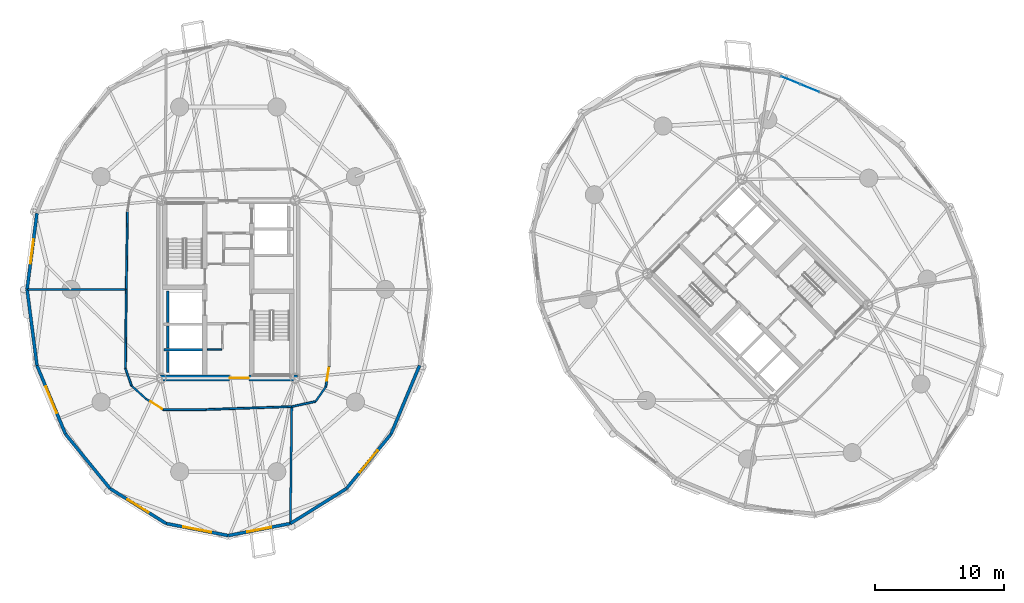
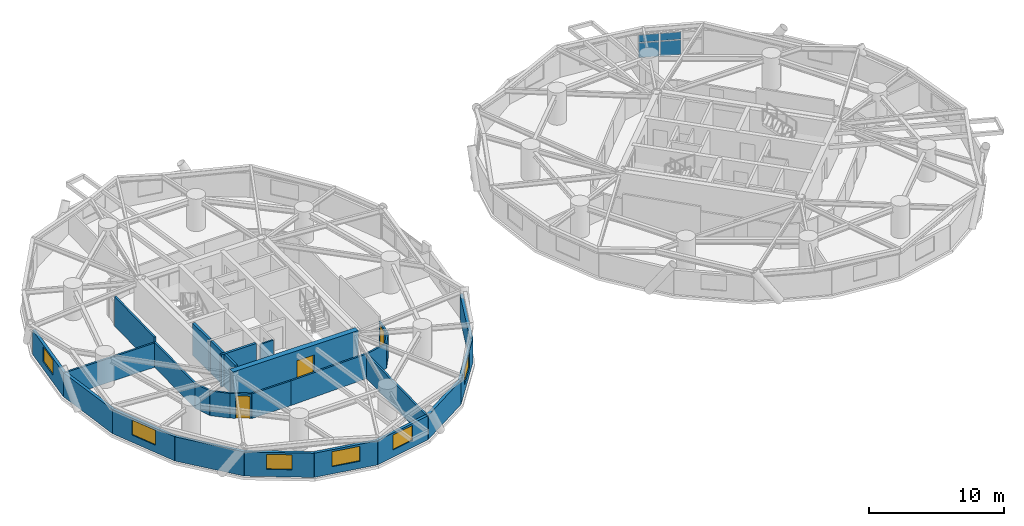
# One storey, part 9 of 16: 28 walls, 6 windows, 4 plates, 3 doors, 9 openings, 1 element without a shape of its own.
"""IFC4 building model written with IfcOpenShell, lengths in metres."""

from ifc_helpers import new_model, si_unit, direction, frame, frame_2d, origin, origin_2d, place, context, subcontext, project, spatial, rectangle, extrude, source, transform, mapped, material, layer, layer_set, type_object, element, fill, aggregate, save


model = new_model("IFC4")

# Units and contexts
model_context = context("Model", 3, precision=1e-05, world=origin(), true_north=direction((0.0, 1.0)))
body_context = subcontext(model_context, "Body", "Model", "MODEL_VIEW")
ifc_project = project(units=[si_unit("LENGTHUNIT", "METRE"), si_unit("AREAUNIT", "SQUARE_METRE"), si_unit("VOLUMEUNIT", "CUBIC_METRE"), si_unit("PLANEANGLEUNIT", "RADIAN"), si_unit("MASSUNIT", "GRAM", prefix="KILO")], contexts=[model_context])

# Site, building, storey
site_placement = place(None, origin())
site = spatial("IfcSite", under=ifc_project, at=site_placement, CompositionType="ELEMENT")
building_placement = place(site_placement, origin())
building = spatial("IfcBuilding", under=site, at=building_placement, Name="Cununo Teusaquillo Station Towers", CompositionType="ELEMENT")
storey_placement = place(building_placement, frame((0.0, 0.0, 73.06005859375)))
storey = spatial("IfcBuildingStorey", under=building, at=storey_placement, Name="L22", CompositionType="ELEMENT", Elevation=73.06005859375)

# Curtain wall, plates
ifc_material_1 = material(Name="Ceramic-fritted dark low-E double glazing", Category="glass")
ifc_layer_1 = layer(ifc_material_1, 0.179931640625)
ifc_layer_set_1 = layer_set([ifc_layer_1], Name="Ceramic-fritted dark low-E double glazing")
curtain_wall_type = type_object("IfcCurtainWallType", Name="CW-SYS-04", PredefinedType="USERDEFINED", material=ifc_layer_set_1)
curtain_wall_placement = place(storey_placement, origin())
curtain_wall = element("IfcCurtainWall", 1, at=curtain_wall_placement, inside=storey, type_object=curtain_wall_type, Name="L22 Tower B Facade Curtain Wall C01", ObjectType="FRITTED GLAZING", PredefinedType="USERDEFINED")
ifc_material_2 = material(Name="Ceramic-fritted dark low-E double glazing", Category="glass")
ifc_layer_2 = layer(ifc_material_2, 0.028076171875)
ifc_layer_set_2 = layer_set([ifc_layer_2], Name="Ceramic-fritted dark low-E double glazing")
plate_type = type_object("IfcPlateType", Name="CWP-FRIT-28", PredefinedType="CURTAIN_PANEL", material=ifc_layer_set_2)
shared_shape_1 = source(origin(), body_context, "Body", "SweptSolid", [
    extrude(rectangle(XDim=1.531005859375, YDim=0.028076171875, at=origin_2d()), origin(), (0.0, 0.0, 1.0), 1.31103515625),
])
plate_1_placement = place(storey_placement, frame((60.045654296875, 40.697021484375, 0.06982421875), z_axis=(0.0, 0.0, 1.0), x_axis=(0.924562443652, -0.381030560176, 0.0)))
plate_1 = element("IfcPlate", 2, at=plate_1_placement, type_object=plate_type, Name="CW-04 panel 1.1", PredefinedType="CURTAIN_PANEL", context=body_context, shape_type="MappedRepresentation", body=[
    mapped(shared_shape_1, transform((0.0, 0.0, 0.0), x_axis=(1.0, 0.0, 0.0), y_axis=(0.0, 1.0, 0.0), z_axis=(0.0, 0.0, 1.0), scale=1.0)),
])
shared_shape_2 = source(origin(), body_context, "Body", "SweptSolid", [
    extrude(rectangle(XDim=1.531005859375, YDim=0.028076171875, at=origin_2d()), origin(), (0.0, 0.0, 1.0), 0.657958984375),
])
plate_2_placement = place(storey_placement, frame((60.045654296875, 40.697021484375, 1.451171875), z_axis=(0.0, 0.0, 1.0), x_axis=(0.924562443652, -0.381030560176, 0.0)))
plate_2 = element("IfcPlate", 3, at=plate_2_placement, type_object=plate_type, Name="CW-04 panel 1.2", PredefinedType="CURTAIN_PANEL", context=body_context, shape_type="MappedRepresentation", body=[
    mapped(shared_shape_2, transform((0.0, 0.0, 0.0), x_axis=(1.0, 0.0, 0.0), y_axis=(0.0, 1.0, 0.0), z_axis=(0.0, 0.0, 1.0), scale=1.0)),
])
shared_shape_3 = source(origin(), body_context, "Body", "SweptSolid", [
    extrude(rectangle(XDim=1.566162109375, YDim=0.028076171875, at=origin_2d()), origin(), (0.0, 0.0, 1.0), 1.31103515625),
])
plate_3_placement = place(storey_placement, frame((61.542236328125, 40.080322265625, 0.06982421875), z_axis=(0.0, 0.0, 1.0), x_axis=(0.924562443652, -0.381030560176, 0.0)))
plate_3 = element("IfcPlate", 4, at=plate_3_placement, type_object=plate_type, Name="CW-04 panel 2.1", PredefinedType="CURTAIN_PANEL", context=body_context, shape_type="MappedRepresentation", body=[
    mapped(shared_shape_3, transform((0.0, 0.0, 0.0), x_axis=(1.0, 0.0, 0.0), y_axis=(0.0, 1.0, 0.0), z_axis=(0.0, 0.0, 1.0), scale=1.0)),
])
shared_shape_4 = source(origin(), body_context, "Body", "SweptSolid", [
    extrude(rectangle(XDim=1.566162109375, YDim=0.028076171875, at=origin_2d()), origin(), (0.0, 0.0, 1.0), 0.657958984375),
])
plate_4_placement = place(storey_placement, frame((61.542236328125, 40.080322265625, 1.451171875), z_axis=(0.0, 0.0, 1.0), x_axis=(0.924562443652, -0.381030560176, 0.0)))
plate_4 = element("IfcPlate", 5, at=plate_4_placement, type_object=plate_type, Name="CW-04 panel 2.2", PredefinedType="CURTAIN_PANEL", context=body_context, shape_type="MappedRepresentation", body=[
    mapped(shared_shape_4, transform((0.0, 0.0, 0.0), x_axis=(1.0, 0.0, 0.0), y_axis=(0.0, 1.0, 0.0), z_axis=(0.0, 0.0, 1.0), scale=1.0)),
])
aggregate(curtain_wall, [plate_1, plate_2, plate_3, plate_4])

# Walls
ifc_material_3 = material(Name="Concrete C50/60", Category="concrete")
ifc_layer_3 = layer(ifc_material_3, 0.199951171875)
ifc_layer_set_3 = layer_set([ifc_layer_3], Name="Concrete C50/60")
wall_type_1 = type_object("IfcWallType", Name="WL-CORE-200", PredefinedType="SHEAR", material=ifc_layer_set_3)
wall_1_placement = place(storey_placement, frame((11.820068359375, 21.919921875, 0.0), z_axis=(0.0, 0.0, 1.0), x_axis=(0.0, 1.0, 0.0)))
element("IfcWall", 6, at=wall_1_placement, inside=storey, type_object=wall_type_1, Name="L22 Tower A Firefighting Lift Shaft Rear Shear Wall", PredefinedType="SHEAR", context=body_context, shape_type="SweptSolid", body=[
    extrude(rectangle(XDim=2.440185546875, YDim=0.199951171875, at=frame_2d((1.22021484375, 0.0))), origin(), (0.0, 0.0, 1.0), 2.909912109375),
])
wall_2_placement = place(storey_placement, frame((11.52001953125, 19.824951171875, 0.0), z_axis=(0.0, 0.0, 1.0), x_axis=(1.0, 0.0, 0.0)))
element("IfcWall", 7, at=wall_2_placement, inside=storey, type_object=wall_type_1, Name="L22 Tower A High-Rise Lift Hoistway Divider Shear Wall", PredefinedType="SHEAR", context=body_context, shape_type="SweptSolid", body=[
    extrude(rectangle(XDim=2.969970703125, YDim=0.199951171875, at=frame_2d((1.48486328125, 0.0))), origin(), (0.0, 0.0, 1.0), 2.909912109375),
])
wall_3_placement = place(storey_placement, frame((11.820068359375, 19.945068359375, 0.0), z_axis=(0.0, 0.0, 1.0), x_axis=(0.0, 1.0, 0.0)))
element("IfcWall", 8, at=wall_3_placement, inside=storey, type_object=wall_type_1, Name="L22 Tower A High-Rise Lift 2 Shaft Rear Shear Wall", PredefinedType="SHEAR", context=body_context, shape_type="SweptSolid", body=[
    extrude(rectangle(XDim=1.73486328125, YDim=0.199951171875, at=frame_2d((0.867431640625, 0.0))), origin(), (0.0, 0.0, 1.0), 2.909912109375),
])
wall_4_placement = place(storey_placement, frame((11.820068359375, 18.070068359375, 0.0), z_axis=(0.0, 0.0, 1.0), x_axis=(0.0, 1.0, 0.0)))
element("IfcWall", 9, at=wall_4_placement, inside=storey, type_object=wall_type_1, Name="L22 Tower A High-Rise Lift 1 Shaft Rear Shear Wall", PredefinedType="SHEAR", context=body_context, shape_type="SweptSolid", body=[
    extrude(rectangle(XDim=1.635009765625, YDim=0.199951171875, at=frame_2d((0.8173828125, 0.0))), origin(), (0.0, 0.0, 1.0), 2.909912109375),
])

# Wall, opening, door
ifc_material_4 = material(Name="Concrete C60/75", Category="concrete")
ifc_layer_4 = layer(ifc_material_4, 0.449951171875)
ifc_layer_set_4 = layer_set([ifc_layer_4], Name="Concrete C60/75")
wall_type_2 = type_object("IfcWallType", Name="WL-CORE-450", PredefinedType="SHEAR", material=ifc_layer_set_4)
wall_5_placement = place(storey_placement, frame((11.14990234375, 17.625, 0.0), z_axis=(0.0, 0.0, 1.0), x_axis=(1.0, 0.0, 0.0)))
wall_5 = element("IfcWall", 10, at=wall_5_placement, inside=storey, type_object=wall_type_2, Name="L22 Tower A Core Shear Wall S", PredefinedType="SHEAR", context=body_context, shape_type="SweptSolid", body=[
    extrude(rectangle(XDim=10.7001953125, YDim=0.449951171875, at=frame_2d((5.35009765625, 0.0))), origin(), (0.0, 0.0, 1.0), 2.909912109375),
])
shared_shape_5 = source(origin(), body_context, "Body", "SweptSolid", [
    extrude(rectangle(XDim=1.5, YDim=2.02001953125, at=frame_2d((0.75, 1.010009765625))), frame((0.0, 0.23486328125, 0.0), z_axis=(0.0, -1.0, 0.0), x_axis=(1.0, 0.0, 0.0)), (0.0, 0.0, 1.0), 0.469970703125),
])
opening_1_placement = place(wall_5_placement, frame((5.449951171875, 0.0, 0.0)))
opening_1 = element("IfcOpeningElement", 11, at=opening_1_placement, cuts=wall_5, Name="Opening D-LB1", PredefinedType="OPENING", context=body_context, shape_type="MappedRepresentation", body=[
    mapped(shared_shape_5, transform((0.0, 0.0, 0.0), x_axis=(1.0, 0.0, 0.0), y_axis=(0.0, 1.0, 0.0), z_axis=(0.0, 0.0, 1.0), scale=1.0)),
])
ifc_material_5 = material(Name="Galvanised fire-rated hollow steel door assembly", Category="steel")
door_type_1 = type_object("IfcDoorType", Name="DR-LOBBY-1500", OperationType="DOUBLE_DOOR_SINGLE_SWING", PredefinedType="DOOR", material=ifc_material_5)
shared_shape_6 = source(origin(), body_context, "Body", "SweptSolid", [
    extrude(rectangle(XDim=1.5, YDim=2.02001953125, at=frame_2d((0.75, 1.010009765625))), frame((0.0, 0.02490234375, 0.0), z_axis=(0.0, -1.0, 0.0), x_axis=(1.0, 0.0, 0.0)), (0.0, 0.0, 1.0), 0.050048828125),
])
door_1_placement = place(opening_1_placement, origin())
door_1 = element("IfcDoor", 12, at=door_1_placement, inside=storey, type_object=door_type_1, Name="L22 Tower A South Core Lift Lobby Door", OperationType="DOUBLE_DOOR_SINGLE_SWING", OverallHeight=2.02001953125, OverallWidth=1.5, PredefinedType="DOOR", context=body_context, shape_type="MappedRepresentation", body=[
    mapped(shared_shape_6, transform((0.0, 0.0, 0.0), x_axis=(1.0, 0.0, 0.0), y_axis=(0.0, 1.0, 0.0), z_axis=(0.0, 0.0, 1.0), scale=1.0)),
])
fill(opening_1, door_1)

# Wall, opening, window
ifc_material_6 = material(Name="Precast concrete C40/50", Category="concrete")
ifc_layer_5 = layer(ifc_material_6, 0.239990234375)
ifc_layer_set_5 = layer_set([ifc_layer_5], Name="Precast concrete C40/50")
wall_type_3 = type_object("IfcWallType", Name="WL-EXT-240", PredefinedType="SOLIDWALL", material=ifc_layer_set_5)
wall_6_placement = place(storey_placement, frame((0.9189453125, 24.5, 0.0), z_axis=(0.0, 0.0, 1.0), x_axis=(0.128351991996, 0.991728675672, 0.0)))
wall_6 = element("IfcWall", 13, at=wall_6_placement, inside=storey, type_object=wall_type_3, Name="L22 Tower A Exterior Facade Wall C09", PredefinedType="SOLIDWALL", context=body_context, shape_type="SweptSolid", body=[
    extrude(rectangle(XDim=5.942138671875, YDim=0.239990234375, at=frame_2d((2.97119140625, 0.0))), origin(), (0.0, 0.0, 1.0), 2.178955078125),
])
shared_shape_7 = source(origin(), body_context, "Body", "SweptSolid", [
    extrude(rectangle(XDim=1.89990234375, YDim=1.35009765625, at=frame_2d((0.949951171875, 0.675048828125))), frame((0.0, 0.1298828125, 0.0), z_axis=(0.0, -1.0, 0.0), x_axis=(1.0, 0.0, 0.0)), (0.0, 0.0, 1.0), 0.260009765625),
])
opening_2_placement = place(wall_6_placement, frame((2.02099609375, 0.0, 0.64990234375)))
opening_2 = element("IfcOpeningElement", 14, at=opening_2_placement, cuts=wall_6, Name="Opening WN-02", PredefinedType="OPENING", context=body_context, shape_type="MappedRepresentation", body=[
    mapped(shared_shape_7, transform((0.0, 0.0, 0.0), x_axis=(1.0, 0.0, 0.0), y_axis=(0.0, 1.0, 0.0), z_axis=(0.0, 0.0, 1.0), scale=1.0)),
])
ifc_material_7 = material(Name="Operable acoustic tinted low-E double glazing", Category="glass")
window_type_1 = type_object("IfcWindowType", Name="WIN-OPER-1900", PartitioningType="DOUBLE_PANEL_VERTICAL", PredefinedType="WINDOW", material=ifc_material_7)
shared_shape_8 = source(origin(), body_context, "Body", "SweptSolid", [
    extrude(rectangle(XDim=1.89990234375, YDim=1.35009765625, at=frame_2d((0.949951171875, 0.675048828125))), frame((0.0, 0.030029296875, 0.0), z_axis=(0.0, -1.0, 0.0), x_axis=(1.0, 0.0, 0.0)), (0.0, 0.0, 1.0), 0.06005859375),
])
window_1_placement = place(opening_2_placement, origin())
window_1 = element("IfcWindow", 15, at=window_1_placement, inside=storey, type_object=window_type_1, Name="L22 Tower A Facade Window C09", OverallHeight=1.35009765625, OverallWidth=1.89990234375, PartitioningType="DOUBLE_PANEL_VERTICAL", PredefinedType="WINDOW", context=body_context, shape_type="MappedRepresentation", body=[
    mapped(shared_shape_8, transform((0.0, 0.0, 0.0), x_axis=(1.0, 0.0, 0.0), y_axis=(0.0, 1.0, 0.0), z_axis=(0.0, 0.0, 1.0), scale=1.0)),
])
fill(opening_2, window_1)

# Wall
wall_7_placement = place(storey_placement, frame((1.681640625, 18.60693359375, 0.0), z_axis=(0.0, 0.0, 1.0), x_axis=(-0.128351991996, 0.991728675672, 0.0)))
element("IfcWall", 16, at=wall_7_placement, inside=storey, type_object=wall_type_3, Name="L22 Tower A Exterior Facade Wall C10", PredefinedType="SOLIDWALL", context=body_context, shape_type="SweptSolid", body=[
    extrude(rectangle(XDim=5.942138671875, YDim=0.239990234375, at=frame_2d((2.97119140625, 0.0))), origin(), (0.0, 0.0, 1.0), 2.178955078125),
])

# Wall, opening, window
wall_8_placement = place(storey_placement, frame((3.894775390625, 13.291015625, 0.0), z_axis=(0.0, 0.0, 1.0), x_axis=(-0.384344417632, 0.923189779317, 0.0)))
wall_8 = element("IfcWall", 17, at=wall_8_placement, inside=storey, type_object=wall_type_3, Name="L22 Tower A Exterior Facade Wall C11", PredefinedType="SOLIDWALL", context=body_context, shape_type="SweptSolid", body=[
    extrude(rectangle(XDim=5.75830078125, YDim=0.239990234375, at=frame_2d((2.879150390625, 0.0))), origin(), (0.0, 0.0, 1.0), 2.178955078125),
])
shared_shape_9 = source(origin(), body_context, "Body", "SweptSolid", [
    extrude(rectangle(XDim=2.199951171875, YDim=1.35009765625, at=frame_2d((1.10009765625, 0.675048828125))), frame((0.0, 0.1298828125, 0.0), z_axis=(0.0, -1.0, 0.0), x_axis=(1.0, 0.0, 0.0)), (0.0, 0.0, 1.0), 0.260009765625),
])
opening_3_placement = place(wall_8_placement, frame((1.779052734375, 0.0, 0.64990234375)))
opening_3 = element("IfcOpeningElement", 18, at=opening_3_placement, cuts=wall_8, Name="Opening WN-01", PredefinedType="OPENING", context=body_context, shape_type="MappedRepresentation", body=[
    mapped(shared_shape_9, transform((0.0, 0.0, 0.0), x_axis=(1.0, 0.0, 0.0), y_axis=(0.0, 1.0, 0.0), z_axis=(0.0, 0.0, 1.0), scale=1.0)),
])
ifc_material_8 = material(Name="Ceramic-fritted dark low-E double glazing", Category="glass")
window_type_2 = type_object("IfcWindowType", Name="WIN-FRIT-2200", PartitioningType="DOUBLE_PANEL_VERTICAL", PredefinedType="WINDOW", material=ifc_material_8)
shared_shape_10 = source(origin(), body_context, "Body", "SweptSolid", [
    extrude(rectangle(XDim=2.199951171875, YDim=1.35009765625, at=frame_2d((1.10009765625, 0.675048828125))), frame((0.0, 0.030029296875, 0.0), z_axis=(0.0, -1.0, 0.0), x_axis=(1.0, 0.0, 0.0)), (0.0, 0.0, 1.0), 0.06005859375),
])
window_2_placement = place(opening_3_placement, origin())
window_2 = element("IfcWindow", 19, at=window_2_placement, inside=storey, type_object=window_type_2, Name="L22 Tower A Facade Window C11", OverallHeight=1.35009765625, OverallWidth=2.199951171875, PartitioningType="DOUBLE_PANEL_VERTICAL", PredefinedType="WINDOW", context=body_context, shape_type="MappedRepresentation", body=[
    mapped(shared_shape_10, transform((0.0, 0.0, 0.0), x_axis=(1.0, 0.0, 0.0), y_axis=(0.0, 1.0, 0.0), z_axis=(0.0, 0.0, 1.0), scale=1.0)),
])
fill(opening_3, window_2)

# Wall
wall_9_placement = place(storey_placement, frame((7.341796875, 9.072021484375, 0.0), z_axis=(0.0, 0.0, 1.0), x_axis=(-0.632700781152, 0.77439635945, 0.0)))
element("IfcWall", 20, at=wall_9_placement, inside=storey, type_object=wall_type_3, Name="L22 Tower A Exterior Facade Wall C12", PredefinedType="SOLIDWALL", context=body_context, shape_type="SweptSolid", body=[
    extrude(rectangle(XDim=5.447998046875, YDim=0.239990234375, at=frame_2d((2.72412109375, 0.0))), origin(), (0.0, 0.0, 1.0), 2.178955078125),
])

# Wall, opening, window
wall_10_placement = place(storey_placement, frame((11.685302734375, 6.36328125, 0.0), z_axis=(0.0, 0.0, 1.0), x_axis=(-0.848520380187, 0.529162701263, 0.0)))
wall_10 = element("IfcWall", 21, at=wall_10_placement, inside=storey, type_object=wall_type_3, Name="L22 Tower A Exterior Facade Wall C13", PredefinedType="SOLIDWALL", context=body_context, shape_type="SweptSolid", body=[
    extrude(rectangle(XDim=5.118896484375, YDim=0.239990234375, at=frame_2d((2.5595703125, 0.0))), origin(), (0.0, 0.0, 1.0), 2.178955078125),
])
opening_4_placement = place(wall_10_placement, frame((1.60888671875, 0.0, 0.64990234375)))
opening_4 = element("IfcOpeningElement", 22, at=opening_4_placement, cuts=wall_10, Name="Opening WN-02", PredefinedType="OPENING", context=body_context, shape_type="MappedRepresentation", body=[
    mapped(shared_shape_7, transform((0.0, 0.0, 0.0), x_axis=(1.0, 0.0, 0.0), y_axis=(0.0, 1.0, 0.0), z_axis=(0.0, 0.0, 1.0), scale=1.0)),
])
window_3_placement = place(opening_4_placement, origin())
window_3 = element("IfcWindow", 23, at=window_3_placement, inside=storey, type_object=window_type_1, Name="L22 Tower A Facade Window C13", OverallHeight=1.35009765625, OverallWidth=1.89990234375, PartitioningType="DOUBLE_PANEL_VERTICAL", PredefinedType="WINDOW", context=body_context, shape_type="MappedRepresentation", body=[
    mapped(shared_shape_8, transform((0.0, 0.0, 0.0), x_axis=(1.0, 0.0, 0.0), y_axis=(0.0, 1.0, 0.0), z_axis=(0.0, 0.0, 1.0), scale=1.0)),
])
fill(opening_4, window_3)

wall_11_placement = place(storey_placement, frame((16.5, 5.429931640625, 0.0), z_axis=(0.0, 0.0, 1.0), x_axis=(-0.981723785992, 0.190311344954, 0.0)))
wall_11 = element("IfcWall", 24, at=wall_11_placement, inside=storey, type_object=wall_type_3, Name="L22 Tower A Exterior Facade Wall C14", PredefinedType="SOLIDWALL", context=body_context, shape_type="SweptSolid", body=[
    extrude(rectangle(XDim=4.904296875, YDim=0.239990234375, at=frame_2d((2.4521484375, 0.0))), origin(), (0.0, 0.0, 1.0), 2.178955078125),
])
opening_5_placement = place(wall_11_placement, frame((1.35205078125, 0.0, 0.64990234375)))
opening_5 = element("IfcOpeningElement", 25, at=opening_5_placement, cuts=wall_11, Name="Opening WN-01", PredefinedType="OPENING", context=body_context, shape_type="MappedRepresentation", body=[
    mapped(shared_shape_9, transform((0.0, 0.0, 0.0), x_axis=(1.0, 0.0, 0.0), y_axis=(0.0, 1.0, 0.0), z_axis=(0.0, 0.0, 1.0), scale=1.0)),
])
window_4_placement = place(opening_5_placement, origin())
window_4 = element("IfcWindow", 26, at=window_4_placement, inside=storey, type_object=window_type_2, Name="L22 Tower A Facade Window C14", OverallHeight=1.35009765625, OverallWidth=2.199951171875, PartitioningType="DOUBLE_PANEL_VERTICAL", PredefinedType="WINDOW", context=body_context, shape_type="MappedRepresentation", body=[
    mapped(shared_shape_10, transform((0.0, 0.0, 0.0), x_axis=(1.0, 0.0, 0.0), y_axis=(0.0, 1.0, 0.0), z_axis=(0.0, 0.0, 1.0), scale=1.0)),
])
fill(opening_5, window_4)

wall_12_placement = place(storey_placement, frame((21.314697265625, 6.36328125, 0.0), z_axis=(0.0, 0.0, 1.0), x_axis=(-0.981723785992, -0.190311344954, 0.0)))
wall_12 = element("IfcWall", 27, at=wall_12_placement, inside=storey, type_object=wall_type_3, Name="L22 Tower A Exterior Facade Wall C15", PredefinedType="SOLIDWALL", context=body_context, shape_type="SweptSolid", body=[
    extrude(rectangle(XDim=4.904296875, YDim=0.239990234375, at=frame_2d((2.4521484375, 0.0))), origin(), (0.0, 0.0, 1.0), 2.178955078125),
])
opening_6_placement = place(wall_12_placement, frame((1.501953125, 0.0, 0.64990234375)))
opening_6 = element("IfcOpeningElement", 28, at=opening_6_placement, cuts=wall_12, Name="Opening WN-02", PredefinedType="OPENING", context=body_context, shape_type="MappedRepresentation", body=[
    mapped(shared_shape_7, transform((0.0, 0.0, 0.0), x_axis=(1.0, 0.0, 0.0), y_axis=(0.0, 1.0, 0.0), z_axis=(0.0, 0.0, 1.0), scale=1.0)),
])
window_5_placement = place(opening_6_placement, origin())
window_5 = element("IfcWindow", 29, at=window_5_placement, inside=storey, type_object=window_type_1, Name="L22 Tower A Facade Window C15", OverallHeight=1.35009765625, OverallWidth=1.89990234375, PartitioningType="DOUBLE_PANEL_VERTICAL", PredefinedType="WINDOW", context=body_context, shape_type="MappedRepresentation", body=[
    mapped(shared_shape_8, transform((0.0, 0.0, 0.0), x_axis=(1.0, 0.0, 0.0), y_axis=(0.0, 1.0, 0.0), z_axis=(0.0, 0.0, 1.0), scale=1.0)),
])
fill(opening_6, window_5)

# Wall
wall_13_placement = place(storey_placement, frame((25.658203125, 9.072021484375, 0.0), z_axis=(0.0, 0.0, 1.0), x_axis=(-0.848520380187, -0.529162701263, 0.0)))
element("IfcWall", 30, at=wall_13_placement, inside=storey, type_object=wall_type_3, Name="L22 Tower A Exterior Facade Wall C16", PredefinedType="SOLIDWALL", context=body_context, shape_type="SweptSolid", body=[
    extrude(rectangle(XDim=5.118896484375, YDim=0.239990234375, at=frame_2d((2.5595703125, 0.0))), origin(), (0.0, 0.0, 1.0), 2.178955078125),
])

# Wall, opening, window
wall_14_placement = place(storey_placement, frame((29.105224609375, 13.291015625, 0.0), z_axis=(0.0, 0.0, 1.0), x_axis=(-0.632700781152, -0.77439635945, 0.0)))
wall_14 = element("IfcWall", 31, at=wall_14_placement, inside=storey, type_object=wall_type_3, Name="L22 Tower A Exterior Facade Wall C17", PredefinedType="SOLIDWALL", context=body_context, shape_type="SweptSolid", body=[
    extrude(rectangle(XDim=5.447998046875, YDim=0.239990234375, at=frame_2d((2.72412109375, 0.0))), origin(), (0.0, 0.0, 1.0), 2.178955078125),
])
opening_7_placement = place(wall_14_placement, frame((1.6240234375, 0.0, 0.64990234375)))
opening_7 = element("IfcOpeningElement", 32, at=opening_7_placement, cuts=wall_14, Name="Opening WN-01", PredefinedType="OPENING", context=body_context, shape_type="MappedRepresentation", body=[
    mapped(shared_shape_9, transform((0.0, 0.0, 0.0), x_axis=(1.0, 0.0, 0.0), y_axis=(0.0, 1.0, 0.0), z_axis=(0.0, 0.0, 1.0), scale=1.0)),
])
window_6_placement = place(opening_7_placement, origin())
window_6 = element("IfcWindow", 33, at=window_6_placement, inside=storey, type_object=window_type_2, Name="L22 Tower A Facade Window C17", OverallHeight=1.35009765625, OverallWidth=2.199951171875, PartitioningType="DOUBLE_PANEL_VERTICAL", PredefinedType="WINDOW", context=body_context, shape_type="MappedRepresentation", body=[
    mapped(shared_shape_10, transform((0.0, 0.0, 0.0), x_axis=(1.0, 0.0, 0.0), y_axis=(0.0, 1.0, 0.0), z_axis=(0.0, 0.0, 1.0), scale=1.0)),
])
fill(opening_7, window_6)

# Walls
wall_15_placement = place(storey_placement, frame((31.318359375, 18.60693359375, 0.0), z_axis=(0.0, 0.0, 1.0), x_axis=(-0.384344417632, -0.923189779317, 0.0)))
element("IfcWall", 34, at=wall_15_placement, inside=storey, type_object=wall_type_3, Name="L22 Tower A Exterior Facade Wall C18", PredefinedType="SOLIDWALL", context=body_context, shape_type="SweptSolid", body=[
    extrude(rectangle(XDim=5.75830078125, YDim=0.239990234375, at=frame_2d((2.879150390625, 0.0))), origin(), (0.0, 0.0, 1.0), 2.178955078125),
])
ifc_material_9 = material(Name="Fire-rated gypsum plasterboard partition assembly", Category="gypsum")
ifc_layer_6 = layer(ifc_material_9, 0.125)
ifc_layer_set_6 = layer_set([ifc_layer_6], Name="Fire-rated gypsum plasterboard partition assembly")
wall_type_4 = type_object("IfcWallType", Name="WL-PART-125", PredefinedType="PARTITIONING", material=ifc_layer_set_6)
wall_16_placement = place(storey_placement, frame((14.8798828125, 19.85009765625, 0.0), z_axis=(0.0, 0.0, 1.0), x_axis=(1.0, 0.0, 0.0)))
element("IfcWall", 35, at=wall_16_placement, inside=storey, type_object=wall_type_4, Name="L22 Tower A North-West Lobby Store South Wall", PredefinedType="PARTITIONING", context=body_context, shape_type="SweptSolid", body=[
    extrude(rectangle(XDim=1.10009765625, YDim=0.125, at=frame_2d((0.550048828125, 0.0))), origin(), (0.0, 0.0, 1.0), 2.655029296875),
])
ifc_material_10 = material(Name="Fire-rated gypsum plasterboard partition assembly", Category="gypsum")
ifc_layer_7 = layer(ifc_material_10, 0.14990234375)
ifc_layer_set_7 = layer_set([ifc_layer_7], Name="Fire-rated gypsum plasterboard partition assembly")
wall_type_5 = type_object("IfcWallType", Name="WL-PART-150", PredefinedType="PARTITIONING", material=ifc_layer_set_7)
wall_17_placement = place(storey_placement, frame((8.692626953125, 30.51171875, 0.0), z_axis=(0.0, 0.0, 1.0), x_axis=(-0.015389665197, -0.99988157209, 0.0)))
element("IfcWall", 36, at=wall_17_placement, inside=storey, type_object=wall_type_5, Name="L22 Tower A Corridor Ring Wall C09", PredefinedType="PARTITIONING", context=body_context, shape_type="SweptSolid", body=[
    extrude(rectangle(XDim=6.012451171875, YDim=0.14990234375, at=frame_2d((3.00634765625, 0.0))), origin(), (0.0, 0.0, 1.0), 2.655029296875),
])
wall_18_placement = place(storey_placement, frame((8.60009765625, 24.5, 0.0), z_axis=(0.0, 0.0, 1.0), x_axis=(-0.010076760723, -0.999949228158, 0.0)))
element("IfcWall", 37, at=wall_18_placement, inside=storey, type_object=wall_type_5, Name="L22 Tower A Corridor Ring Wall C10", PredefinedType="PARTITIONING", context=body_context, shape_type="SweptSolid", body=[
    extrude(rectangle(XDim=6.129638671875, YDim=0.14990234375, at=frame_2d((3.06494140625, 0.0))), origin(), (0.0, 0.0, 1.0), 2.224853515625),
])
wall_19_placement = place(storey_placement, frame((8.538330078125, 18.37060546875, 0.0), z_axis=(0.0, 0.0, 1.0), x_axis=(0.3330273821, -0.942917155837, 0.0)))
element("IfcWall", 38, at=wall_19_placement, inside=storey, type_object=wall_type_5, Name="L22 Tower A Corridor Ring Wall C11", PredefinedType="PARTITIONING", context=body_context, shape_type="SweptSolid", body=[
    extrude(rectangle(XDim=1.4169921875, YDim=0.14990234375, at=frame_2d((0.70849609375, 0.0))), origin(), (0.0, 0.0, 1.0), 2.224853515625),
])
wall_20_placement = place(storey_placement, frame((9.01025390625, 17.034423828125, 0.0), z_axis=(0.0, 0.0, 1.0), x_axis=(0.739733009791, -0.672900493554, 0.0)))
element("IfcWall", 39, at=wall_20_placement, inside=storey, type_object=wall_type_5, Name="L22 Tower A Corridor Ring Wall C12", PredefinedType="PARTITIONING", context=body_context, shape_type="SweptSolid", body=[
    extrude(rectangle(XDim=1.494140625, YDim=0.14990234375, at=frame_2d((0.7470703125, 0.0))), origin(), (0.0, 0.0, 1.0), 2.224853515625),
])

# Wall, opening, door
wall_21_placement = place(storey_placement, frame((10.115478515625, 16.029052734375, 0.0), z_axis=(0.0, 0.0, 1.0), x_axis=(0.844897677802, -0.534927952201, 0.0)))
wall_21 = element("IfcWall", 40, at=wall_21_placement, inside=storey, type_object=wall_type_5, Name="L22 Tower A Corridor Ring Wall C13", PredefinedType="PARTITIONING", context=body_context, shape_type="SweptSolid", body=[
    extrude(rectangle(XDim=1.591064453125, YDim=0.14990234375, at=frame_2d((0.79541015625, 0.0))), origin(), (0.0, 0.0, 1.0), 2.224853515625),
])
shared_shape_11 = source(origin(), body_context, "Body", "SweptSolid", [
    extrude(rectangle(XDim=1.050048828125, YDim=2.014892578125, at=frame_2d((0.52490234375, 1.00732421875))), frame((0.0, 0.0849609375, 0.0), z_axis=(0.0, -1.0, 0.0), x_axis=(1.0, 0.0, 0.0)), (0.0, 0.0, 1.0), 0.169921875),
])
opening_8_placement = place(wall_21_placement, frame((0.421142578125, 0.0, 0.0)))
opening_8 = element("IfcOpeningElement", 41, at=opening_8_placement, cuts=wall_21, Name="Opening D-SU1", PredefinedType="OPENING", context=body_context, shape_type="MappedRepresentation", body=[
    mapped(shared_shape_11, transform((0.0, 0.0, 0.0), x_axis=(1.0, 0.0, 0.0), y_axis=(0.0, 1.0, 0.0), z_axis=(0.0, 0.0, 1.0), scale=1.0)),
])
ifc_material_11 = material(Name="Acoustic solid-core hardwood leaf assembly", Category="wood")
door_type_2 = type_object("IfcDoorType", Name="DR-SUITE-1050", OperationType="NOTDEFINED", PredefinedType="DOOR", material=ifc_material_11)
shared_shape_12 = source(origin(), body_context, "Body", "SweptSolid", [
    extrude(rectangle(XDim=1.050048828125, YDim=2.014892578125, at=frame_2d((0.52490234375, 1.00732421875))), frame((0.0, 0.02490234375, 0.0), z_axis=(0.0, -1.0, 0.0), x_axis=(1.0, 0.0, 0.0)), (0.0, 0.0, 1.0), 0.050048828125),
])
door_2_placement = place(opening_8_placement, origin())
door_2 = element("IfcDoor", 42, at=door_2_placement, inside=storey, type_object=door_type_2, Name="L22 Tower A South Client Reception & Boardroom Lounge Entrance Door", OperationType="SINGLE_SWING_RIGHT", OverallHeight=2.014892578125, OverallWidth=1.050048828125, PredefinedType="DOOR", context=body_context, shape_type="MappedRepresentation", body=[
    mapped(shared_shape_12, transform((0.0, 0.0, 0.0), x_axis=(1.0, 0.0, 0.0), y_axis=(0.0, 1.0, 0.0), z_axis=(0.0, 0.0, 1.0), scale=1.0)),
])
fill(opening_8, door_2)

# Walls
wall_22_placement = place(storey_placement, frame((11.459716796875, 15.177978515625, 0.0), z_axis=(0.0, 0.0, 1.0), x_axis=(0.999992694689, 0.003822377251, 0.0)))
element("IfcWall", 43, at=wall_22_placement, inside=storey, type_object=wall_type_5, Name="L22 Tower A Corridor Ring Wall C14", PredefinedType="PARTITIONING", context=body_context, shape_type="SweptSolid", body=[
    extrude(rectangle(XDim=3.3212890625, YDim=0.14990234375, at=frame_2d((1.66064453125, 0.0))), origin(), (0.0, 0.0, 1.0), 2.224853515625),
])
wall_23_placement = place(storey_placement, frame((14.781005859375, 15.190673828125, 0.0), z_axis=(0.0, 0.0, 1.0), x_axis=(0.999412963972, 0.034259705842, 0.0)))
element("IfcWall", 44, at=wall_23_placement, inside=storey, type_object=wall_type_5, Name="L22 Tower A Corridor Ring Wall C15", PredefinedType="PARTITIONING", context=body_context, shape_type="SweptSolid", body=[
    extrude(rectangle(XDim=6.6416015625, YDim=0.14990234375, at=frame_2d((3.32080078125, 0.0))), origin(), (0.0, 0.0, 1.0), 2.224853515625),
])
wall_24_placement = place(storey_placement, frame((21.418701171875, 15.418212890625, 0.0), z_axis=(0.0, 0.0, 1.0), x_axis=(0.977540384091, 0.210748184977, 0.0)))
element("IfcWall", 45, at=wall_24_placement, inside=storey, type_object=wall_type_5, Name="L22 Tower A Corridor Ring Wall C16", PredefinedType="PARTITIONING", context=body_context, shape_type="SweptSolid", body=[
    extrude(rectangle(XDim=1.88720703125, YDim=0.14990234375, at=frame_2d((0.943603515625, 0.0))), origin(), (0.0, 0.0, 1.0), 2.224853515625),
])
wall_25_placement = place(storey_placement, frame((23.263427734375, 15.81591796875, 0.0), z_axis=(0.0, 0.0, 1.0), x_axis=(0.572652947117, 0.819797903241, 0.0)))
element("IfcWall", 46, at=wall_25_placement, inside=storey, type_object=wall_type_5, Name="L22 Tower A Corridor Ring Wall C17", PredefinedType="PARTITIONING", context=body_context, shape_type="SweptSolid", body=[
    extrude(rectangle(XDim=1.376953125, YDim=0.14990234375, at=frame_2d((0.6884765625, 0.0))), origin(), (0.0, 0.0, 1.0), 2.224853515625),
])

# Wall, opening, door
wall_26_placement = place(storey_placement, frame((24.052001953125, 16.94482421875, 0.0), z_axis=(0.0, 0.0, 1.0), x_axis=(0.162869842843, 0.986647563364, 0.0)))
wall_26 = element("IfcWall", 47, at=wall_26_placement, inside=storey, type_object=wall_type_5, Name="L22 Tower A Corridor Ring Wall C18", PredefinedType="PARTITIONING", context=body_context, shape_type="SweptSolid", body=[
    extrude(rectangle(XDim=1.60546875, YDim=0.14990234375, at=frame_2d((0.802734375, 0.0))), origin(), (0.0, 0.0, 1.0), 2.224853515625),
])
shared_shape_13 = source(origin(), body_context, "Body", "SweptSolid", [
    extrude(rectangle(XDim=1.0, YDim=2.014892578125, at=frame_2d((0.5, 1.00732421875))), frame((0.0, 0.0849609375, 0.0), z_axis=(0.0, -1.0, 0.0), x_axis=(1.0, 0.0, 0.0)), (0.0, 0.0, 1.0), 0.169921875),
])
opening_9_placement = place(wall_26_placement, frame((0.4853515625, 0.0, 0.0)))
opening_9 = element("IfcOpeningElement", 48, at=opening_9_placement, cuts=wall_26, Name="Opening D-AC1", PredefinedType="OPENING", context=body_context, shape_type="MappedRepresentation", body=[
    mapped(shared_shape_13, transform((0.0, 0.0, 0.0), x_axis=(1.0, 0.0, 0.0), y_axis=(0.0, 1.0, 0.0), z_axis=(0.0, 0.0, 1.0), scale=1.0)),
])
ifc_material_12 = material(Name="Acoustic solid-core hardwood leaf assembly", Category="wood")
door_type_3 = type_object("IfcDoorType", Name="DR-ACC-1000", OperationType="NOTDEFINED", PredefinedType="DOOR", material=ifc_material_12)
shared_shape_14 = source(origin(), body_context, "Body", "SweptSolid", [
    extrude(rectangle(XDim=1.0, YDim=2.014892578125, at=frame_2d((0.5, 1.00732421875))), frame((0.0, 0.02490234375, 0.0), z_axis=(0.0, -1.0, 0.0), x_axis=(1.0, 0.0, 0.0)), (0.0, 0.0, 1.0), 0.050048828125),
])
door_3_placement = place(opening_9_placement, origin())
door_3 = element("IfcDoor", 49, at=door_3_placement, inside=storey, type_object=door_type_3, Name="L22 Tower A Public Accessible Restroom WC Entrance Door", OperationType="SINGLE_SWING_LEFT", OverallHeight=2.014892578125, OverallWidth=1.0, PredefinedType="DOOR", context=body_context, shape_type="MappedRepresentation", body=[
    mapped(shared_shape_14, transform((0.0, 0.0, 0.0), x_axis=(1.0, 0.0, 0.0), y_axis=(0.0, 1.0, 0.0), z_axis=(0.0, 0.0, 1.0), scale=1.0)),
])
fill(opening_9, door_3)

# Walls
ifc_material_13 = material(Name="Fire-rated gypsum plasterboard partition assembly", Category="gypsum")
ifc_layer_8 = layer(ifc_material_13, 0.159912109375)
ifc_layer_set_8 = layer_set([ifc_layer_8], Name="Fire-rated gypsum plasterboard partition assembly")
wall_type_6 = type_object("IfcWallType", Name="WL-PART-160", PredefinedType="PARTITIONING", material=ifc_layer_set_8)
wall_27_placement = place(storey_placement, frame((8.60009765625, 24.5, 0.0), z_axis=(0.0, 0.0, 1.0), x_axis=(-1.0, 0.0, 0.0)))
element("IfcWall", 50, at=wall_27_placement, inside=storey, type_object=wall_type_6, Name="L22 Tower A Radial Suite Partition R03", PredefinedType="PARTITIONING", context=body_context, shape_type="SweptSolid", body=[
    extrude(rectangle(XDim=7.6611328125, YDim=0.159912109375, at=frame_2d((3.83056640625, 0.0))), origin(), (0.0, 0.0, 1.0), 2.178955078125),
])
wall_28_placement = place(storey_placement, frame((21.418701171875, 15.418212890625, 0.0), z_axis=(0.0, 0.0, 1.0), x_axis=(-0.012184661849, -0.999925764252, 0.0)))
element("IfcWall", 51, at=wall_28_placement, inside=storey, type_object=wall_type_6, Name="L22 Tower A Radial Suite Partition R04", PredefinedType="PARTITIONING", context=body_context, shape_type="SweptSolid", body=[
    extrude(rectangle(XDim=9.03662109375, YDim=0.159912109375, at=frame_2d((4.518310546875, 0.0))), origin(), (0.0, 0.0, 1.0), 2.178955078125),
])

save(model, "model.ifc")
